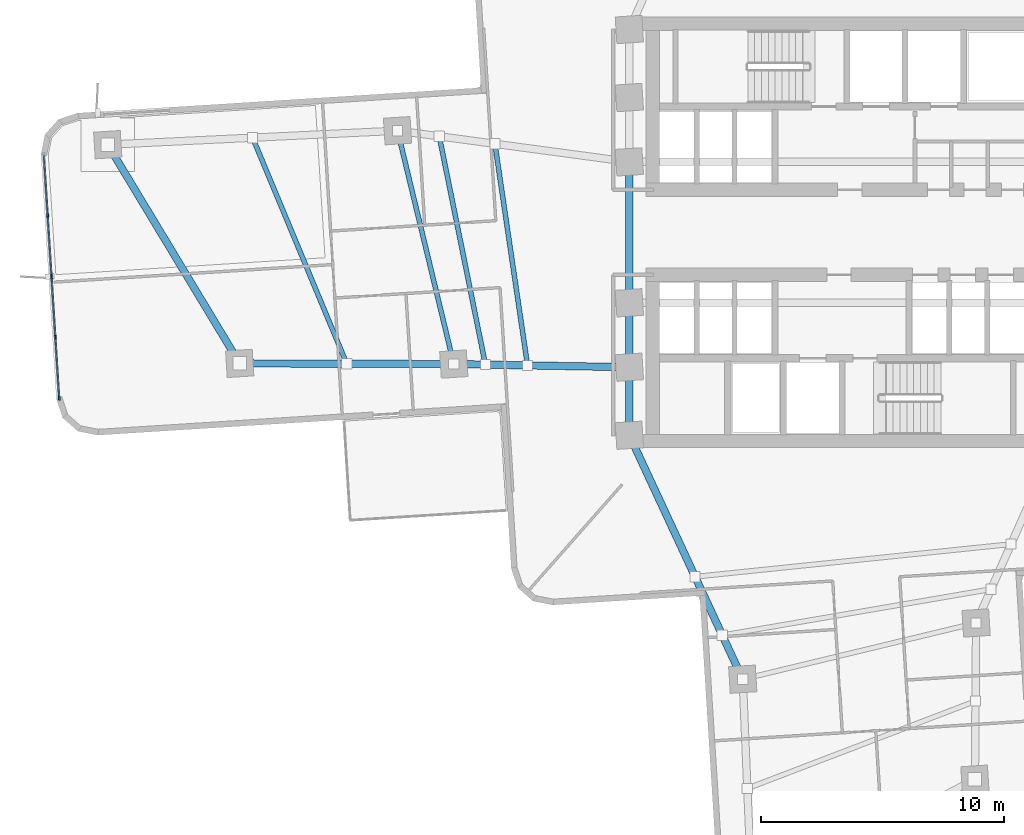
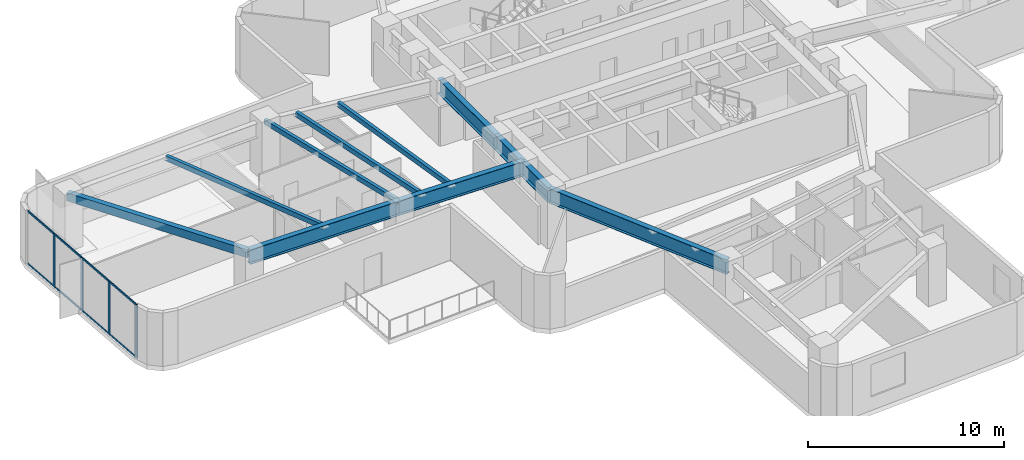
# One storey, part 2 of 16: 12 members, 11 beams, 1 element without a shape of its own.
"""IFC4 building model written with IfcOpenShell, lengths in metres."""

from ifc_helpers import new_model, si_unit, direction, frame, origin, origin_2d, place, context, subcontext, project, spatial, rectangle, hollow_rectangle, i_section, extrude, material, layer, layer_set, material_profile, profile_set, type_object, element, aggregate, save


model = new_model("IFC4")

# Units and contexts
model_context = context("Model", 3, precision=1e-05, world=origin(), true_north=direction((0.0, 1.0)))
body_context = subcontext(model_context, "Body", "Model", "MODEL_VIEW")
ifc_project = project(units=[si_unit("LENGTHUNIT", "METRE"), si_unit("AREAUNIT", "SQUARE_METRE"), si_unit("VOLUMEUNIT", "CUBIC_METRE"), si_unit("PLANEANGLEUNIT", "RADIAN"), si_unit("MASSUNIT", "GRAM", prefix="KILO")], contexts=[model_context])

# Site, building, storey
site_placement = place(None, origin())
site = spatial("IfcSite", under=ifc_project, at=site_placement, CompositionType="ELEMENT")
building_placement = place(site_placement, origin())
building = spatial("IfcBuilding", under=site, at=building_placement, Name="Solmarez Civic Tower", CompositionType="ELEMENT")
storey_placement = place(building_placement, frame((0.0, 0.0, 53.280029296875)))
storey = spatial("IfcBuildingStorey", under=building, at=storey_placement, Name="L13", CompositionType="ELEMENT", Elevation=53.280029296875)

# Beams
ifc_material_1 = material(Name="Steel S355", Category="steel")
ifc_material_profile_1 = material_profile(ifc_material_1, hollow_rectangle(XDim=0.199951171875, YDim=0.300048828125, WallThickness=0.011962890625, at=origin_2d()), Name="HSS300X200X12")
ifc_profile_set_1 = profile_set([ifc_material_profile_1], Name="Steel S355")
beam_type_1 = type_object("IfcBeamType", Name="BM-JS-HSS300X200", PredefinedType="JOIST", material=ifc_profile_set_1)
beam_1_placement = place(storey_placement, frame((-18.39111328125, 4.18408203125, 3.169921875), z_axis=(0.234328919867, -0.97215737271, 0.0), x_axis=(0.97215737271, 0.234328919867, 0.0)))
element("IfcBeam", 1, at=beam_1_placement, inside=storey, type_object=beam_type_1, Name="L13 Secondary Floor Joist BM-L13-WA-T1", PredefinedType="JOIST", context=body_context, shape_type="SweptSolid", body=[
    extrude(hollow_rectangle(XDim=0.199951171875, YDim=0.300048828125, WallThickness=0.011962890625, at=origin_2d()), origin(), (0.0, 0.0, 1.0), 9.880126953125),
])
beam_2_placement = place(storey_placement, frame((-24.35498046875, 3.89697265625, 3.169921875), z_axis=(0.384310898391, -0.923203733408, 0.0), x_axis=(0.923203733408, 0.384310898391, 0.0)))
element("IfcBeam", 2, at=beam_2_placement, inside=storey, type_object=beam_type_1, Name="L13 Secondary Floor Joist JS-L13-WA-M2", PredefinedType="JOIST", context=body_context, shape_type="SweptSolid", body=[
    extrude(hollow_rectangle(XDim=0.199951171875, YDim=0.300048828125, WallThickness=0.011962890625, at=origin_2d()), origin(), (0.0, 0.0, 1.0), 10.077880859375),
])
beam_3_placement = place(storey_placement, frame((-14.384033203125, 3.64501953125, 3.169921875), z_axis=(0.145687649447, -0.989330636743, 0.0), x_axis=(0.989330636743, 0.145687649447, 0.0)))
element("IfcBeam", 3, at=beam_3_placement, inside=storey, type_object=beam_type_1, Name="L13 Secondary Floor Joist JS-L13-WA-M11", PredefinedType="JOIST", context=body_context, shape_type="SweptSolid", body=[
    extrude(hollow_rectangle(XDim=0.199951171875, YDim=0.300048828125, WallThickness=0.011962890625, at=origin_2d()), origin(), (0.0, 0.0, 1.0), 9.218505859375),
])
beam_4_placement = place(storey_placement, frame((-16.674072265625, 3.952880859375, 3.169921875), z_axis=(0.198099134772, -0.980181989634, 0.0), x_axis=(0.980181989634, 0.198099134772, 0.0)))
element("IfcBeam", 4, at=beam_4_placement, inside=storey, type_object=beam_type_1, Name="L13 Secondary Floor Joist JS-L13-WA-M12", PredefinedType="JOIST", context=body_context, shape_type="SweptSolid", body=[
    extrude(hollow_rectangle(XDim=0.199951171875, YDim=0.300048828125, WallThickness=0.011962890625, at=origin_2d()), origin(), (0.0, 0.0, 1.0), 9.5869140625),
])
ifc_material_profile_2 = material_profile(ifc_material_1, i_section(OverallWidth=0.303955078125, OverallDepth=0.910888671875, WebThickness=0.015869140625, FlangeThickness=0.02392578125, at=origin_2d()), Name="W36X150")
ifc_profile_set_2 = profile_set([ifc_material_profile_2], Name="Steel S355")
beam_type_2 = type_object("IfcBeamType", Name="BM-PR-W36X150", PredefinedType="BEAM", material=ifc_profile_set_2)
beam_5_placement = place(storey_placement, frame((-8.85009765625, -5.550048828125, 2.864990234375), z_axis=(-0.999840308455, 0.017870578882, 0.0), x_axis=(-0.017870578882, -0.999840308455, 0.0)))
element("IfcBeam", 5, at=beam_5_placement, inside=storey, type_object=beam_type_2, Name="L13 Primary Floor Beam BM-L13-WA-R1B", PredefinedType="BEAM", context=body_context, shape_type="SweptSolid", body=[
    extrude(i_section(OverallWidth=0.303955078125, OverallDepth=0.910888671875, WebThickness=0.015869140625, FlangeThickness=0.02392578125, at=origin_2d()), origin(), (0.0, 0.0, 1.0), 7.22705078125),
])
beam_6_placement = place(storey_placement, frame((-16.075927734375, -5.4208984375, 2.864990234375), z_axis=(-0.99999501223, 0.003158403928, 0.0), x_axis=(-0.003158403928, -0.99999501223, 0.0)))
element("IfcBeam", 6, at=beam_6_placement, inside=storey, type_object=beam_type_2, Name="L13 Primary Floor Beam BM-L13-WA-R2B", PredefinedType="BEAM", context=body_context, shape_type="SweptSolid", body=[
    extrude(i_section(OverallWidth=0.303955078125, OverallDepth=0.910888671875, WebThickness=0.015869140625, FlangeThickness=0.02392578125, at=origin_2d()), origin(), (0.0, 0.0, 1.0), 8.81201171875),
])
beam_7_placement = place(storey_placement, frame((-8.85009765625, -8.35009765625, 2.864990234375), z_axis=(0.421417065364, -0.906866945599, 0.0), x_axis=(0.906866945599, 0.421417065364, 0.0)))
element("IfcBeam", 7, at=beam_7_placement, inside=storey, type_object=beam_type_2, Name="L13 Primary Floor Beam BM-L13-SA-R1A", PredefinedType="BEAM", context=body_context, shape_type="SweptSolid", body=[
    extrude(i_section(OverallWidth=0.303955078125, OverallDepth=0.910888671875, WebThickness=0.015869140625, FlangeThickness=0.02392578125, at=origin_2d()), origin(), (0.0, 0.0, 1.0), 11.072265625),
])
ifc_material_profile_3 = material_profile(ifc_material_1, i_section(OverallWidth=0.306884765625, OverallDepth=0.927001953125, WebThickness=0.019287109375, FlangeThickness=0.031982421875, at=origin_2d()), Name="W36X194")
ifc_profile_set_3 = profile_set([ifc_material_profile_3], Name="Steel S355")
beam_type_3 = type_object("IfcBeamType", Name="BM-PR-W36X194", PredefinedType="BEAM", material=ifc_profile_set_3)
beam_8_placement = place(storey_placement, frame((-8.85009765625, -8.35009765625, 2.85595703125), z_axis=(0.0, 1.0, 0.0), x_axis=(-1.0, 0.0, 0.0)))
element("IfcBeam", 8, at=beam_8_placement, inside=storey, type_object=beam_type_3, Name="L13 Primary Floor Beam BM-L13-HC12-HC1", PredefinedType="BEAM", context=body_context, shape_type="SweptSolid", body=[
    extrude(i_section(OverallWidth=0.306884765625, OverallDepth=0.927001953125, WebThickness=0.019287109375, FlangeThickness=0.031982421875, at=origin_2d()), origin(), (0.0, 0.0, 1.0), 2.800048828125),
])
beam_9_placement = place(storey_placement, frame((-8.85009765625, -5.550048828125, 2.85595703125), z_axis=(0.0, 1.0, 0.0), x_axis=(-1.0, 0.0, 0.0)))
element("IfcBeam", 9, at=beam_9_placement, inside=storey, type_object=beam_type_3, Name="L13 Primary Floor Beam BM-L13-HC1-HC2", PredefinedType="BEAM", context=body_context, shape_type="SweptSolid", body=[
    extrude(i_section(OverallWidth=0.306884765625, OverallDepth=0.927001953125, WebThickness=0.019287109375, FlangeThickness=0.031982421875, at=origin_2d()), origin(), (0.0, 0.0, 1.0), 2.650146484375),
])
beam_10_placement = place(storey_placement, frame((-8.85009765625, -2.89990234375, 2.85595703125), z_axis=(0.0, 1.0, 0.0), x_axis=(-1.0, 0.0, 0.0)))
element("IfcBeam", 10, at=beam_10_placement, inside=storey, type_object=beam_type_3, Name="L13 Primary Floor Beam BM-L13-HC2-HC3", PredefinedType="BEAM", context=body_context, shape_type="SweptSolid", body=[
    extrude(i_section(OverallWidth=0.306884765625, OverallDepth=0.927001953125, WebThickness=0.019287109375, FlangeThickness=0.031982421875, at=origin_2d()), origin(), (0.0, 0.0, 1.0), 5.7998046875),
])
ifc_material_profile_4 = material_profile(ifc_material_1, hollow_rectangle(XDim=0.300048828125, YDim=0.5, WallThickness=0.02001953125, at=origin_2d()), Name="HSS500X300X20")
ifc_profile_set_4 = profile_set([ifc_material_profile_4], Name="Steel S355")
beam_type_4 = type_object("IfcBeamType", Name="BM-SP-HSS500X300", PredefinedType="SPANDREL", material=ifc_profile_set_4)
beam_11_placement = place(storey_placement, frame((-30.318115234375, 3.60888671875, 3.070068359375), z_axis=(0.516522901024, -0.856273374991, 0.0), x_axis=(0.856273374991, 0.516522901024, 0.0)))
element("IfcBeam", 11, at=beam_11_placement, inside=storey, type_object=beam_type_4, Name="L13 Perimeter Spandrel Beam BM-L13-WA-T2", PredefinedType="SPANDREL", context=body_context, shape_type="SweptSolid", body=[
    extrude(hollow_rectangle(XDim=0.300048828125, YDim=0.5, WallThickness=0.02001953125, at=origin_2d()), origin(), (0.0, 0.0, 1.0), 10.512939453125),
])

# Curtain wall, members
ifc_material_2 = material(Name="Bronze Anodised Aluminium EN AW-6063 T6", Category="aluminium")
ifc_layer = layer(ifc_material_2, 0.155029296875)
ifc_layer_set = layer_set([ifc_layer], Name="Bronze Anodised Aluminium EN AW-6063 T6")
curtain_wall_type = type_object("IfcCurtainWallType", Name="CW-SYS-6", PredefinedType="NOTDEFINED", material=ifc_layer_set)
curtain_wall_placement = place(storey_placement, origin())
curtain_wall = element("IfcCurtainWall", 12, at=curtain_wall_placement, inside=storey, type_object=curtain_wall_type, Name="L13 Stick-Built Curtain Wall 1", PredefinedType="NOTDEFINED")
ifc_material_profile_5 = material_profile(ifc_material_2, rectangle(XDim=0.070068359375, YDim=0.179931640625, at=origin_2d()), Name="CWM-70X180")
ifc_profile_set_5 = profile_set([ifc_material_profile_5], Name="Bronze Anodised Aluminium EN AW-6063 T6")
member_type_1 = type_object("IfcMemberType", Name="CWM-TYPE-2", PredefinedType="MULLION", material=ifc_profile_set_5)
member_1_placement = place(storey_placement, frame((-32.315185546875, -6.817138671875, 0.0), z_axis=(0.0, 0.0, 1.0), x_axis=(-0.998021244974, -0.062877615886, 0.0)))
member_1 = element("IfcMember", 13, at=member_1_placement, type_object=member_type_1, Name="CWS6 mullion 1", PredefinedType="MULLION", context=body_context, shape_type="SweptSolid", body=[
    extrude(rectangle(XDim=0.070068359375, YDim=0.179931640625, at=origin_2d()), origin(), (0.0, 0.0, 1.0), 3.320068359375),
])
member_2_placement = place(storey_placement, frame((-32.4716796875, -4.332275390625, 0.0), z_axis=(0.0, 0.0, 1.0), x_axis=(-0.998021244974, -0.062877615886, 0.0)))
member_2 = element("IfcMember", 14, at=member_2_placement, type_object=member_type_1, Name="CWS6 mullion 2", PredefinedType="MULLION", context=body_context, shape_type="SweptSolid", body=[
    extrude(rectangle(XDim=0.070068359375, YDim=0.179931640625, at=origin_2d()), origin(), (0.0, 0.0, 1.0), 3.320068359375),
])
member_3_placement = place(storey_placement, frame((-32.630615234375, -1.8125, 0.0), z_axis=(0.0, 0.0, 1.0), x_axis=(-0.998021244974, -0.062877615886, 0.0)))
member_3 = element("IfcMember", 15, at=member_3_placement, type_object=member_type_1, Name="CWS6 mullion 3", PredefinedType="MULLION", context=body_context, shape_type="SweptSolid", body=[
    extrude(rectangle(XDim=0.070068359375, YDim=0.179931640625, at=origin_2d()), origin(), (0.0, 0.0, 1.0), 3.320068359375),
])
member_4_placement = place(storey_placement, frame((-32.789306640625, 0.707275390625, 0.0), z_axis=(0.0, 0.0, 1.0), x_axis=(-0.998021244974, -0.062877615886, 0.0)))
member_4 = element("IfcMember", 16, at=member_4_placement, type_object=member_type_1, Name="CWS6 mullion 4", PredefinedType="MULLION", context=body_context, shape_type="SweptSolid", body=[
    extrude(rectangle(XDim=0.070068359375, YDim=0.179931640625, at=origin_2d()), origin(), (0.0, 0.0, 1.0), 3.320068359375),
])
ifc_material_profile_6 = material_profile(ifc_material_2, rectangle(XDim=0.06005859375, YDim=0.110107421875, at=origin_2d()), Name="CWT-60X110")
ifc_profile_set_6 = profile_set([ifc_material_profile_6], Name="Bronze Anodised Aluminium EN AW-6063 T6")
member_type_2 = type_object("IfcMemberType", Name="CWT-TYPE-3", PredefinedType="USERDEFINED", material=ifc_profile_set_6)
member_5_placement = place(storey_placement, frame((-32.3173828125, -6.7822265625, 0.030029296875), z_axis=(-0.062855650789, 0.998022628583, 0.0), x_axis=(-0.998022628583, -0.062855650789, 0.0)))
member_5 = element("IfcMember", 17, at=member_5_placement, type_object=member_type_2, Name="CWS6 transom 1.1", ObjectType="TRANSOM", PredefinedType="USERDEFINED", context=body_context, shape_type="SweptSolid", body=[
    extrude(rectangle(XDim=0.06005859375, YDim=0.110107421875, at=origin_2d()), origin(), (0.0, 0.0, 1.0), 2.419921875),
])
member_6_placement = place(storey_placement, frame((-32.3173828125, -6.7822265625, 3.2900390625), z_axis=(-0.062855650789, 0.998022628583, 0.0), x_axis=(-0.998022628583, -0.062855650789, 0.0)))
member_6 = element("IfcMember", 18, at=member_6_placement, type_object=member_type_2, Name="CWS6 transom 1.2", ObjectType="TRANSOM", PredefinedType="USERDEFINED", context=body_context, shape_type="SweptSolid", body=[
    extrude(rectangle(XDim=0.06005859375, YDim=0.110107421875, at=origin_2d()), origin(), (0.0, 0.0, 1.0), 2.419921875),
])
member_7_placement = place(storey_placement, frame((-32.473876953125, -4.29736328125, 0.030029296875), z_axis=(-0.062954100247, 0.998016423343, 0.0), x_axis=(-0.998016423343, -0.062954100247, 0.0)))
member_7 = element("IfcMember", 19, at=member_7_placement, type_object=member_type_2, Name="CWS6 transom 2.1", ObjectType="TRANSOM", PredefinedType="USERDEFINED", context=body_context, shape_type="SweptSolid", body=[
    extrude(rectangle(XDim=0.06005859375, YDim=0.110107421875, at=origin_2d()), origin(), (0.0, 0.0, 1.0), 2.454833984375),
])
member_8_placement = place(storey_placement, frame((-32.473876953125, -4.29736328125, 3.2900390625), z_axis=(-0.062954100247, 0.998016423343, 0.0), x_axis=(-0.998016423343, -0.062954100247, 0.0)))
member_8 = element("IfcMember", 20, at=member_8_placement, type_object=member_type_2, Name="CWS6 transom 2.2", ObjectType="TRANSOM", PredefinedType="USERDEFINED", context=body_context, shape_type="SweptSolid", body=[
    extrude(rectangle(XDim=0.06005859375, YDim=0.110107421875, at=origin_2d()), origin(), (0.0, 0.0, 1.0), 2.454833984375),
])
member_9_placement = place(storey_placement, frame((-32.6328125, -1.777587890625, 0.030029296875), z_axis=(-0.062855039918, 0.998022667056, 0.0), x_axis=(-0.998022667056, -0.062855039918, 0.0)))
member_9 = element("IfcMember", 21, at=member_9_placement, type_object=member_type_2, Name="CWS6 transom 3.1", ObjectType="TRANSOM", PredefinedType="USERDEFINED", context=body_context, shape_type="SweptSolid", body=[
    extrude(rectangle(XDim=0.06005859375, YDim=0.110107421875, at=origin_2d()), origin(), (0.0, 0.0, 1.0), 2.454833984375),
])
member_10_placement = place(storey_placement, frame((-32.6328125, -1.777587890625, 3.2900390625), z_axis=(-0.062855039918, 0.998022667056, 0.0), x_axis=(-0.998022667056, -0.062855039918, 0.0)))
member_10 = element("IfcMember", 22, at=member_10_placement, type_object=member_type_2, Name="CWS6 transom 3.2", ObjectType="TRANSOM", PredefinedType="USERDEFINED", context=body_context, shape_type="SweptSolid", body=[
    extrude(rectangle(XDim=0.06005859375, YDim=0.110107421875, at=origin_2d()), origin(), (0.0, 0.0, 1.0), 2.454833984375),
])
member_11_placement = place(storey_placement, frame((-32.79150390625, 0.7421875, 0.030029296875), z_axis=(-0.062855650789, 0.998022628583, 0.0), x_axis=(-0.998022628583, -0.062855650789, 0.0)))
member_11 = element("IfcMember", 23, at=member_11_placement, type_object=member_type_2, Name="CWS6 transom 4.1", ObjectType="TRANSOM", PredefinedType="USERDEFINED", context=body_context, shape_type="SweptSolid", body=[
    extrude(rectangle(XDim=0.06005859375, YDim=0.110107421875, at=origin_2d()), origin(), (0.0, 0.0, 1.0), 2.419921875),
])
member_12_placement = place(storey_placement, frame((-32.79150390625, 0.7421875, 3.2900390625), z_axis=(-0.062855650789, 0.998022628583, 0.0), x_axis=(-0.998022628583, -0.062855650789, 0.0)))
member_12 = element("IfcMember", 24, at=member_12_placement, type_object=member_type_2, Name="CWS6 transom 4.2", ObjectType="TRANSOM", PredefinedType="USERDEFINED", context=body_context, shape_type="SweptSolid", body=[
    extrude(rectangle(XDim=0.06005859375, YDim=0.110107421875, at=origin_2d()), origin(), (0.0, 0.0, 1.0), 2.419921875),
])
aggregate(curtain_wall, [member_1, member_2, member_3, member_4, member_5, member_6, member_7, member_8, member_9, member_10, member_11, member_12])

save(model, "model.ifc")
